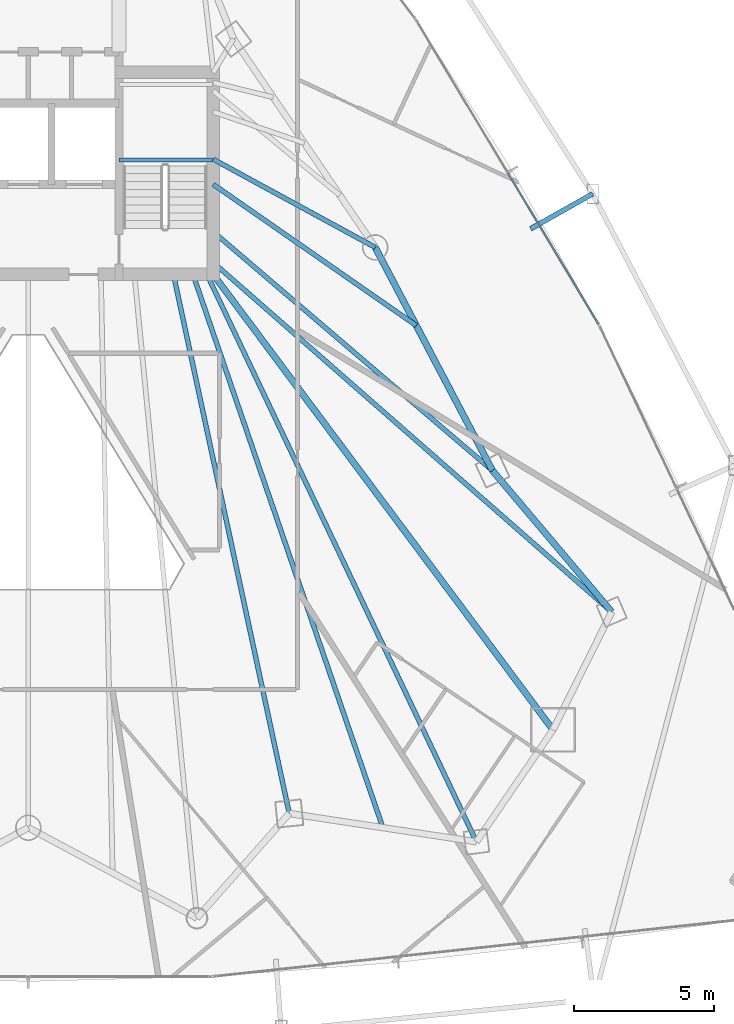
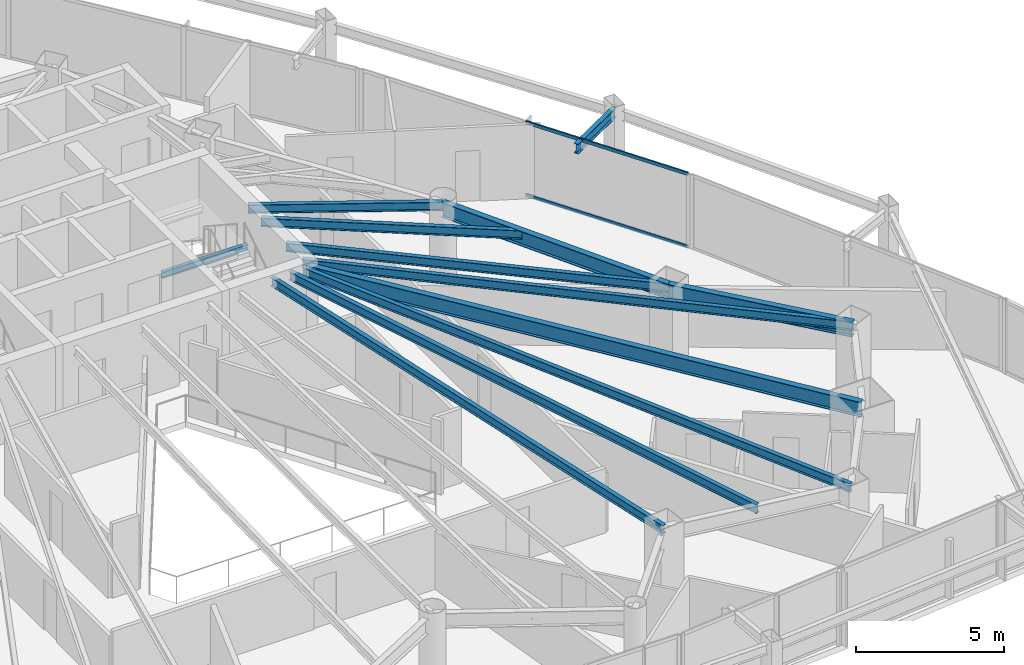
# One storey, part 19 of 38: 12 beams, 2 members, 1 element without a shape of its own.
"""IFC4 building model written with IfcOpenShell, lengths in metres."""

from ifc_helpers import new_model, si_unit, direction, frame, origin, origin_2d, place, context, subcontext, project, spatial, hollow_rectangle, i_section, extrude, material, layer, layer_set, material_profile, profile_set, type_object, element, aggregate, save


model = new_model("IFC4")

# Units and contexts
model_context = context("Model", 3, precision=1e-05, world=origin(), true_north=direction((0.0, 1.0)))
body_context = subcontext(model_context, "Body", "Model", "MODEL_VIEW")
ifc_project = project(units=[si_unit("LENGTHUNIT", "METRE"), si_unit("AREAUNIT", "SQUARE_METRE"), si_unit("VOLUMEUNIT", "CUBIC_METRE"), si_unit("PLANEANGLEUNIT", "RADIAN"), si_unit("MASSUNIT", "GRAM", prefix="KILO")], contexts=[model_context])

# Site, building, storey
site_placement = place(None, origin())
site = spatial("IfcSite", under=ifc_project, at=site_placement, CompositionType="ELEMENT")
building_placement = place(site_placement, origin())
building = spatial("IfcBuilding", under=site, at=building_placement, Name="Orvanel Arch Residences", CompositionType="ELEMENT")
storey_placement = place(building_placement, frame((0.0, 0.0, 43.39990234375)))
storey = spatial("IfcBuildingStorey", under=building, at=storey_placement, Name="L11", CompositionType="ELEMENT", Elevation=43.39990234375)

# Beams
ifc_material_1 = material(Name="Structural steel AS/NZS 3679.1 Grade 300 (300 MPa)", Category="steel")
ifc_material_profile_1 = material_profile(ifc_material_1, i_section(OverallWidth=0.22900390625, OverallDepth=0.612060546875, WebThickness=0.011962890625, FlangeThickness=0.01953125, at=origin_2d()), Name="610UB125")
ifc_profile_set_1 = profile_set([ifc_material_profile_1], Name="Structural steel AS/NZS 3679.1 Grade 300 (300 MPa)")
beam_type_1 = type_object("IfcBeamType", Name="BG-610UB", PredefinedType="BEAM", material=ifc_profile_set_1)
beam_1_placement = place(storey_placement, frame((39.625, 26.675048828125, 2.754150390625), z_axis=(0.597893733742, -0.801575375839, 0.0), x_axis=(0.801575375839, 0.597893733742, 0.0)))
element("IfcBeam", 1, at=beam_1_placement, inside=storey, type_object=beam_type_1, Name="L11 South-East Radial Girder", PredefinedType="BEAM", context=body_context, shape_type="SweptSolid", body=[
    extrude(i_section(OverallWidth=0.22900390625, OverallDepth=0.612060546875, WebThickness=0.011962890625, FlangeThickness=0.01953125, at=origin_2d()), origin(), (0.0, 0.0, 1.0), 20.36474609375),
])
ifc_material_profile_2 = material_profile(ifc_material_1, i_section(OverallWidth=0.14599609375, OverallDepth=0.251953125, WebThickness=0.006103515625, FlangeThickness=0.008544921875, at=origin_2d()), Name="250UB31.4")
ifc_profile_set_2 = profile_set([ifc_material_profile_2], Name="Structural steel AS/NZS 3679.1 Grade 300 (300 MPa)")
beam_type_2 = type_object("IfcBeamType", Name="BJ-250UB", PredefinedType="JOIST", material=ifc_profile_set_2)
beam_2_placement = place(storey_placement, frame((36.25, 30.780029296875, 1.32421875), z_axis=(1.0, 0.0, 0.0), x_axis=(0.0, 1.0, 0.0)))
element("IfcBeam", 2, at=beam_2_placement, inside=storey, type_object=beam_type_2, Name="L11 ST-2 Half-Landing Support Beam 1.1", PredefinedType="JOIST", context=body_context, shape_type="SweptSolid", body=[
    extrude(i_section(OverallWidth=0.14599609375, OverallDepth=0.251953125, WebThickness=0.006103515625, FlangeThickness=0.008544921875, at=origin_2d()), origin(), (0.0, 0.0, 1.0), 3.35009765625),
])
ifc_material_profile_3 = material_profile(ifc_material_1, i_section(OverallWidth=0.1708984375, OverallDepth=0.35595703125, WebThickness=0.00732421875, FlangeThickness=0.011474609375, at=origin_2d()), Name="360UB50.7")
ifc_profile_set_3 = profile_set([ifc_material_profile_3], Name="Structural steel AS/NZS 3679.1 Grade 300 (300 MPa)")
beam_type_3 = type_object("IfcBeamType", Name="BJ-360UB", PredefinedType="JOIST", material=ifc_profile_set_3)
beam_3_placement = place(storey_placement, frame((39.625, 30.800048828125, 2.882080078125), z_axis=(0.878399029914, -0.477927969726, 0.0), x_axis=(0.477927969726, 0.878399029914, 0.0)))
element("IfcBeam", 3, at=beam_3_placement, inside=storey, type_object=beam_type_3, Name="L11 NE Wing Floor Joist", PredefinedType="JOIST", context=body_context, shape_type="SweptSolid", body=[
    extrude(i_section(OverallWidth=0.1708984375, OverallDepth=0.35595703125, WebThickness=0.00732421875, FlangeThickness=0.011474609375, at=origin_2d()), origin(), (0.0, 0.0, 1.0), 6.609619140625),
])
beam_4_placement = place(storey_placement, frame((39.625, 28.199951171875, 2.882080078125), z_axis=(0.760024297953, -0.649894658018, 0.0), x_axis=(0.649894658018, 0.760024297953, 0.0)))
element("IfcBeam", 4, at=beam_4_placement, inside=storey, type_object=beam_type_3, Name="L11 E Wing Floor Joist", PredefinedType="JOIST", context=body_context, shape_type="SweptSolid", body=[
    extrude(i_section(OverallWidth=0.1708984375, OverallDepth=0.35595703125, WebThickness=0.00732421875, FlangeThickness=0.011474609375, at=origin_2d()), origin(), (0.0, 0.0, 1.0), 13.16796875),
])
beam_5_placement = place(storey_placement, frame((38.199951171875, 26.675048828125, 2.882080078125), z_axis=(0.210066515515, -0.977687096703, 0.0), x_axis=(0.977687096703, 0.210066515515, 0.0)))
element("IfcBeam", 5, at=beam_5_placement, inside=storey, type_object=beam_type_3, Name="L11 SE Wing Floor Joist", PredefinedType="JOIST", context=body_context, shape_type="SweptSolid", body=[
    extrude(i_section(OverallWidth=0.1708984375, OverallDepth=0.35595703125, WebThickness=0.00732421875, FlangeThickness=0.011474609375, at=origin_2d()), origin(), (0.0, 0.0, 1.0), 19.760986328125),
])
beam_6_placement = place(storey_placement, frame((39.625, 27.10009765625, 2.882080078125), z_axis=(0.751924114057, -0.659249669472, 0.0), x_axis=(0.659249669472, 0.751924114057, 0.0)))
element("IfcBeam", 6, at=beam_6_placement, inside=storey, type_object=beam_type_3, Name="L11 ME Wing Floor Joist", PredefinedType="JOIST", context=body_context, shape_type="SweptSolid", body=[
    extrude(i_section(OverallWidth=0.1708984375, OverallDepth=0.35595703125, WebThickness=0.00732421875, FlangeThickness=0.011474609375, at=origin_2d()), origin(), (0.0, 0.0, 1.0), 18.9912109375),
])
beam_7_placement = place(storey_placement, frame((39.39990234375, 26.675048828125, 2.882080078125), z_axis=(0.429042657795, -0.903284228686, 0.0), x_axis=(0.903284228686, 0.429042657795, 0.0)))
element("IfcBeam", 7, at=beam_7_placement, inside=storey, type_object=beam_type_3, Name="L11 MSE Wing Floor Joist", PredefinedType="JOIST", context=body_context, shape_type="SweptSolid", body=[
    extrude(i_section(OverallWidth=0.1708984375, OverallDepth=0.35595703125, WebThickness=0.00732421875, FlangeThickness=0.011474609375, at=origin_2d()), origin(), (0.0, 0.0, 1.0), 22.513427734375),
])
beam_8_placement = place(storey_placement, frame((39.625, 29.89990234375, 2.882080078125), z_axis=(0.821089880853, -0.570798920427, 0.0), x_axis=(0.570798920427, 0.821089880853, 0.0)))
element("IfcBeam", 8, at=beam_8_placement, inside=storey, type_object=beam_type_3, Name="L11 CTE Wing Floor Joist", PredefinedType="JOIST", context=body_context, shape_type="SweptSolid", body=[
    extrude(i_section(OverallWidth=0.1708984375, OverallDepth=0.35595703125, WebThickness=0.00732421875, FlangeThickness=0.011474609375, at=origin_2d()), origin(), (0.0, 0.0, 1.0), 8.86279296875),
])
beam_9_placement = place(storey_placement, frame((38.89990234375, 26.675048828125, 2.882080078125), z_axis=(0.324621456495, -0.945844019901, 0.0), x_axis=(0.945844019901, 0.324621456495, 0.0)))
element("IfcBeam", 9, at=beam_9_placement, inside=storey, type_object=beam_type_3, Name="L11 JADD2 Wing Floor Joist", PredefinedType="JOIST", context=body_context, shape_type="SweptSolid", body=[
    extrude(i_section(OverallWidth=0.1708984375, OverallDepth=0.35595703125, WebThickness=0.00732421875, FlangeThickness=0.011474609375, at=origin_2d()), origin(), (0.0, 0.0, 1.0), 20.96337890625),
])
ifc_material_profile_4 = material_profile(ifc_material_1, i_section(OverallWidth=0.177978515625, OverallDepth=0.406005859375, WebThickness=0.0078125, FlangeThickness=0.0126953125, at=origin_2d()), Name="410UB59.7")
ifc_profile_set_4 = profile_set([ifc_material_profile_4], Name="Structural steel AS/NZS 3679.1 Grade 300 (300 MPa)")
beam_type_4 = type_object("IfcBeamType", Name="OB-410UB-EXT", PredefinedType="SPANDREL", material=ifc_profile_set_4)
beam_10_placement = place(storey_placement, frame((51.0, 28.30810546875, 2.857177734375), z_axis=(0.871383694473, 0.490602137181, 0.0), x_axis=(-0.490602137181, 0.871383694473, 0.0)))
element("IfcBeam", 10, at=beam_10_placement, inside=storey, type_object=beam_type_4, Name="L11 Outer Frame Radial Tie Beam 10", PredefinedType="SPANDREL", context=body_context, shape_type="SweptSolid", body=[
    extrude(i_section(OverallWidth=0.177978515625, OverallDepth=0.406005859375, WebThickness=0.0078125, FlangeThickness=0.0126953125, at=origin_2d()), origin(), (0.0, 0.0, 1.0), 2.5498046875),
])
ifc_material_profile_5 = material_profile(ifc_material_1, i_section(OverallWidth=0.22900390625, OverallDepth=0.612060546875, WebThickness=0.011962890625, FlangeThickness=0.01953125, at=origin_2d()), Name="610UB125")
ifc_profile_set_5 = profile_set([ifc_material_profile_5], Name="Structural steel AS/NZS 3679.1 Grade 300 (300 MPa)")
beam_type_5 = type_object("IfcBeamType", Name="SP-610UB", PredefinedType="SPANDREL", material=ifc_profile_set_5)
beam_11_placement = place(storey_placement, frame((53.905029296875, 14.580078125, 2.754150390625), z_axis=(-0.644950329775, 0.764224490659, 0.0), x_axis=(-0.764224490659, -0.644950329775, 0.0)))
element("IfcBeam", 11, at=beam_11_placement, inside=storey, type_object=beam_type_5, Name="L11 Perimeter Spandrel Beam 12", PredefinedType="SPANDREL", context=body_context, shape_type="SweptSolid", body=[
    extrude(i_section(OverallWidth=0.22900390625, OverallDepth=0.612060546875, WebThickness=0.011962890625, FlangeThickness=0.01953125, at=origin_2d()), origin(), (0.0, 0.0, 1.0), 6.623779296875),
])
beam_12_placement = place(storey_placement, frame((49.633056640625, 19.64208984375, 2.754150390625), z_axis=(-0.465064762793, 0.885276660942, 0.0), x_axis=(-0.885276660942, -0.465064762793, 0.0)))
element("IfcBeam", 12, at=beam_12_placement, inside=storey, type_object=beam_type_5, Name="L11 Perimeter Spandrel Beam 13", PredefinedType="SPANDREL", context=body_context, shape_type="SweptSolid", body=[
    extrude(i_section(OverallWidth=0.22900390625, OverallDepth=0.612060546875, WebThickness=0.011962890625, FlangeThickness=0.01953125, at=origin_2d()), origin(), (0.0, 0.0, 1.0), 9.03564453125),
])

# Curtain wall, members
ifc_material_2 = material(Name="Bronze-anodised aluminium AA6063-T6", Category="aluminium")
ifc_layer = layer(ifc_material_2, 0.179931640625)
ifc_layer_set = layer_set([ifc_layer], Name="Bronze-anodised aluminium AA6063-T6")
curtain_wall_type = type_object("IfcCurtainWallType", Name="CW2-LOW-SYS", PredefinedType="NOTDEFINED", material=ifc_layer_set)
curtain_wall_placement = place(storey_placement, origin())
curtain_wall = element("IfcCurtainWall", 13, at=curtain_wall_placement, inside=storey, type_object=curtain_wall_type, Name="L11 CW2-LOW-SYS Unitised Curtain Wall", PredefinedType="NOTDEFINED")
ifc_material_profile_6 = material_profile(ifc_material_2, hollow_rectangle(XDim=0.06005859375, YDim=0.135009765625, WallThickness=0.00390625, at=origin_2d()), Name="ALU135x60x4")
ifc_profile_set_6 = profile_set([ifc_material_profile_6], Name="Bronze-anodised aluminium AA6063-T6")
member_type = type_object("IfcMemberType", Name="TRN-135x60", PredefinedType="USERDEFINED", material=ifc_profile_set_6)
member_1_placement = place(storey_placement, frame((53.421875, 24.91796875, 0.030029296875), z_axis=(-0.514352631458, 0.857578783851, 0.0), x_axis=(-0.857578783851, -0.514352631458, 0.0)))
member_1 = element("IfcMember", 14, at=member_1_placement, type_object=member_type, Name="CW-S2 transom 1.1", ObjectType="TRANSOM", PredefinedType="USERDEFINED", context=body_context, shape_type="SweptSolid", body=[
    extrude(hollow_rectangle(XDim=0.06005859375, YDim=0.135009765625, WallThickness=0.00390625, at=origin_2d()), origin(), (0.0, 0.0, 1.0), 6.271728515625),
])
member_2_placement = place(storey_placement, frame((53.421875, 24.91796875, 3.030029296875), z_axis=(-0.514352631458, 0.857578783851, 0.0), x_axis=(-0.857578783851, -0.514352631458, 0.0)))
member_2 = element("IfcMember", 15, at=member_2_placement, type_object=member_type, Name="CW-S2 transom 1.2", ObjectType="TRANSOM", PredefinedType="USERDEFINED", context=body_context, shape_type="SweptSolid", body=[
    extrude(hollow_rectangle(XDim=0.06005859375, YDim=0.135009765625, WallThickness=0.00390625, at=origin_2d()), origin(), (0.0, 0.0, 1.0), 6.271728515625),
])
aggregate(curtain_wall, [member_1, member_2])

save(model, "model.ifc")
